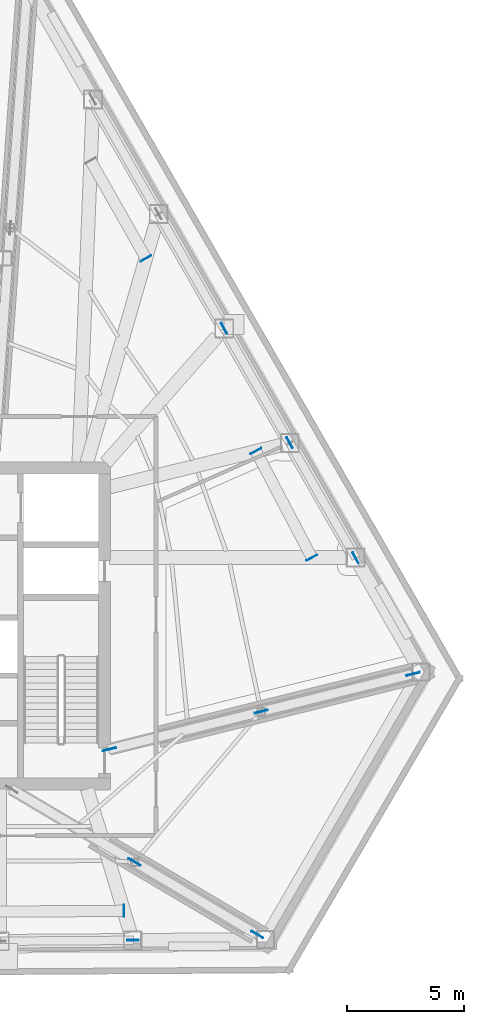
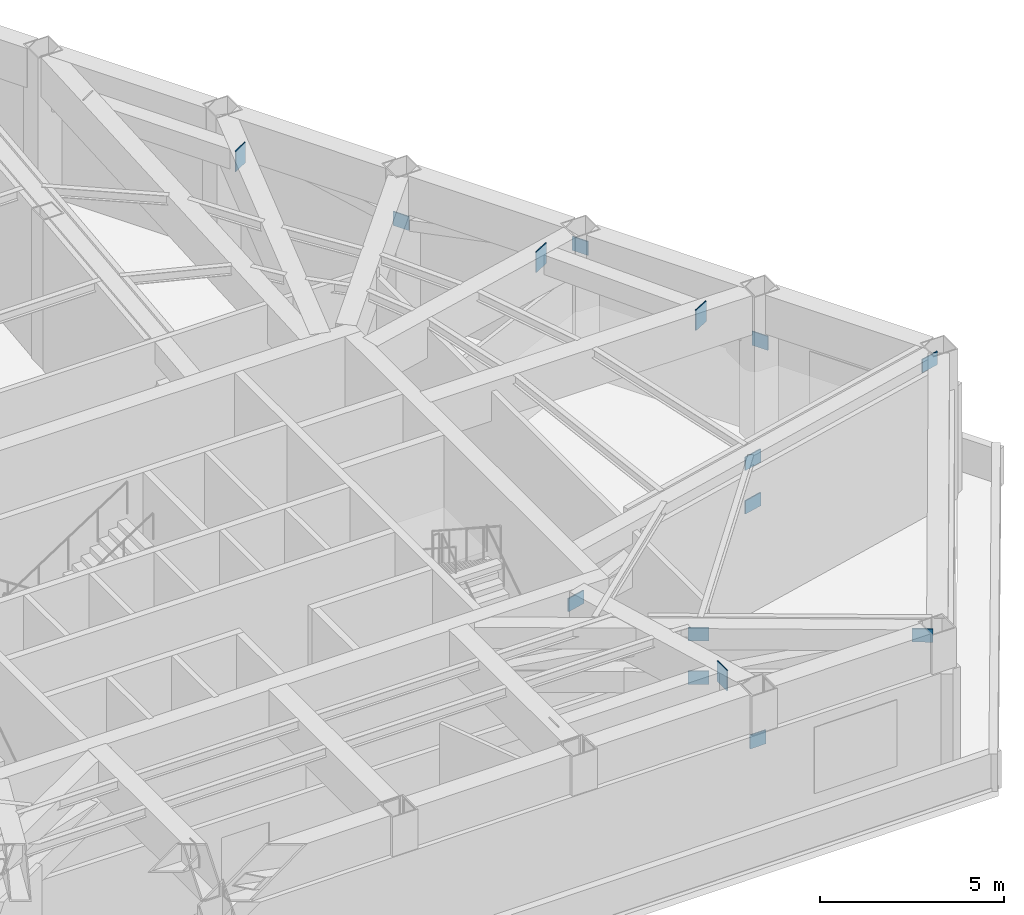
# One storey, part 6 of 12: 15 plates.
"""IFC4 building model written with IfcOpenShell, lengths in metres."""

from ifc_helpers import new_model, si_unit, direction, frame, origin, origin_2d, place, context, subcontext, project, spatial, rectangle, extrude, material, layer, layer_set, type_object, element, save


model = new_model("IFC4")

# Units and contexts
model_context = context("Model", 3, precision=1e-05, world=origin(), true_north=direction((0.0, 1.0)))
body_context = subcontext(model_context, "Body", "Model", "MODEL_VIEW")
ifc_project = project(units=[si_unit("LENGTHUNIT", "METRE"), si_unit("AREAUNIT", "SQUARE_METRE"), si_unit("VOLUMEUNIT", "CUBIC_METRE"), si_unit("PLANEANGLEUNIT", "RADIAN"), si_unit("MASSUNIT", "GRAM", prefix="KILO")], contexts=[model_context])

# Site, building, storey
site_placement = place(None, origin())
site = spatial("IfcSite", under=ifc_project, at=site_placement, CompositionType="ELEMENT")
building_placement = place(site_placement, origin())
building = spatial("IfcBuilding", under=site, at=building_placement, Name="Kavelnor Concourse Tower", CompositionType="ELEMENT")
storey_placement = place(building_placement, frame((0.0, 0.0, 75.300048828125)))
storey = spatial("IfcBuildingStorey", under=building, at=storey_placement, Name="L19", CompositionType="ELEMENT", Elevation=75.300048828125)

# Plates
ifc_material = material(Name="Steel Grade 350", Category="steel")
ifc_layer_1 = layer(ifc_material, 0.035888671875, Name="Steel Grade 350")
ifc_layer_set_1 = layer_set([ifc_layer_1], Name="Steel Grade 350")
plate_type_1 = type_object("IfcPlateType", Name="PL-GUSSET-OUTRIG", PredefinedType="USERDEFINED", material=ifc_layer_set_1)
for number, where, z_axis, x_axis, name in (
    (1, (49.0546875, 6.020263671875, 2.9599609375), (0.0, 0.0, 1.0), (0.860830858381, -0.508891180174, 0.0), "L19 Outrigger Truss Node Gusset Plate GP2 F1B-MB"),
    (2, (49.0546875, 6.020263671875, 4.405029296875), (0.0, 0.0, 1.0), (0.860830858381, -0.508891180174, 0.0), "L19 Outrigger Truss Node Gusset Plate GP2 F1B-MT"),
    (3, (54.298095703125, 2.920166015625, 4.405029296875), (0.0, 0.0, 1.0), (0.860830858381, -0.508891180174, 0.0), "L19 Outrigger Truss Node Gusset Plate GP2 F1B-B1"),
    (4, (47.981201171875, 10.835205078125, 2.9599609375), (0.0, 0.0, 1.0), (0.970590565411, 0.240736275485, 0.0), "L19 Outrigger Truss Node Gusset Plate GP2 F2A-B0"),
    (5, (54.46435546875, 12.44287109375, 2.9599609375), (0.0, 0.0, 1.0), (0.970590565411, 0.240736275485, 0.0), "L19 Outrigger Truss Node Gusset Plate GP2 F2A-MB"),
    (6, (54.46435546875, 12.44287109375, 4.405029296875), (0.0, 0.0, 1.0), (0.970590565411, 0.240736275485, 0.0), "L19 Outrigger Truss Node Gusset Plate GP2 F2A-MT"),
    (7, (60.94775390625, 14.050537109375, 4.405029296875), (0.0, 0.0, 1.0), (0.970590565411, 0.240736275485, 0.0), "L19 Outrigger Truss Node Gusset Plate GP2 F2A-B1"),
):
    element("IfcPlate", number, at=place(storey_placement, frame(where, z_axis=z_axis, x_axis=x_axis)), inside=storey, type_object=plate_type_1, Name=name, ObjectType="GUSSET_PLATE", PredefinedType="USERDEFINED", context=body_context, shape_type="SweptSolid", body=[
        extrude(rectangle(XDim=0.580078125, YDim=0.035888671875, at=origin_2d()), origin(), (0.0, 0.0, 1.0), 0.43994140625),
    ])
for number, where, z_axis, x_axis, name in (
    (8, (48.985107421875, 2.677001953125, 2.949951171875), (0.0, 0.0, 1.0), (-0.999976833935, -0.006806731521, 0.0), "L19 Belt Truss Diagonal F1-B4 End Gusset A"),
    (9, (58.493896484375, 19.015380859375, 2.949951171875), (0.0, 0.0, 1.0), (-0.496973961028, 0.867765453369, 0.0), "L19 Belt Truss Diagonal F2-B1 End Gusset A"),
    (10, (55.680908203125, 23.926513671875, 4.10498046875), (0.0, 0.0, 1.0), (-0.496973961028, 0.867765453369, 0.0), "L19 Belt Truss Diagonal F2-B1 End Gusset B"),
    (11, (52.879638671875, 28.81689453125, 2.949951171875), (0.0, 0.0, 1.0), (0.496973961028, -0.867765453369, 0.0), "L19 Belt Truss Diagonal F2-B2 End Gusset A"),
):
    element("IfcPlate", number, at=place(storey_placement, frame(where, z_axis=z_axis, x_axis=x_axis)), inside=storey, type_object=plate_type_1, Name=name, ObjectType="GUSSET_PLATE", PredefinedType="USERDEFINED", context=body_context, shape_type="SweptSolid", body=[
        extrude(rectangle(XDim=0.5, YDim=0.035888671875, at=origin_2d()), origin(), (0.0, 0.0, 1.0), 0.4599609375),
    ])
ifc_layer_2 = layer(ifc_material, 0.02490234375, Name="Steel Grade 350")
ifc_layer_set_2 = layer_set([ifc_layer_2], Name="Steel Grade 350")
plate_type_2 = type_object("IfcPlateType", Name="PL-SPLICE-FLANGE", PredefinedType="SHEET", material=ifc_layer_set_2)
for number, where, z_axis, x_axis, name in (
    (12, (48.605224609375, 3.936767578125, 4.31494140625), (0.0, 0.0, 1.0), (-0.006457673349, 0.99997914901, 0.0), "L19 Belt Truss Chord End Cap F1-B4-B"),
    (13, (56.627685546875, 19.01611328125, 4.31494140625), (0.0, 0.0, 1.0), (0.885393625754, 0.464842045725, 0.0), "L19 Belt Truss Chord End Cap F2-B1-A"),
    (14, (54.23583984375, 23.572509765625, 4.31494140625), (0.0, 0.0, 1.0), (-0.885393625754, -0.464842045725, 0.0), "L19 Belt Truss Chord End Cap F2-B1-B"),
    (15, (49.54541015625, 31.8017578125, 4.31494140625), (0.0, 0.0, 1.0), (0.869753437661, 0.493486532416, 0.0), "L19 Belt Truss Chord End Cap F2-B4-A"),
):
    element("IfcPlate", number, at=place(storey_placement, frame(where, z_axis=z_axis, x_axis=x_axis)), inside=storey, type_object=plate_type_2, Name=name, PredefinedType="SHEET", context=body_context, shape_type="SweptSolid", body=[
        extrude(rectangle(XDim=0.52001953125, YDim=0.028076171875, at=origin_2d()), origin(), (0.0, 0.0, 1.0), 0.68994140625),
    ])

save(model, "model.ifc")
